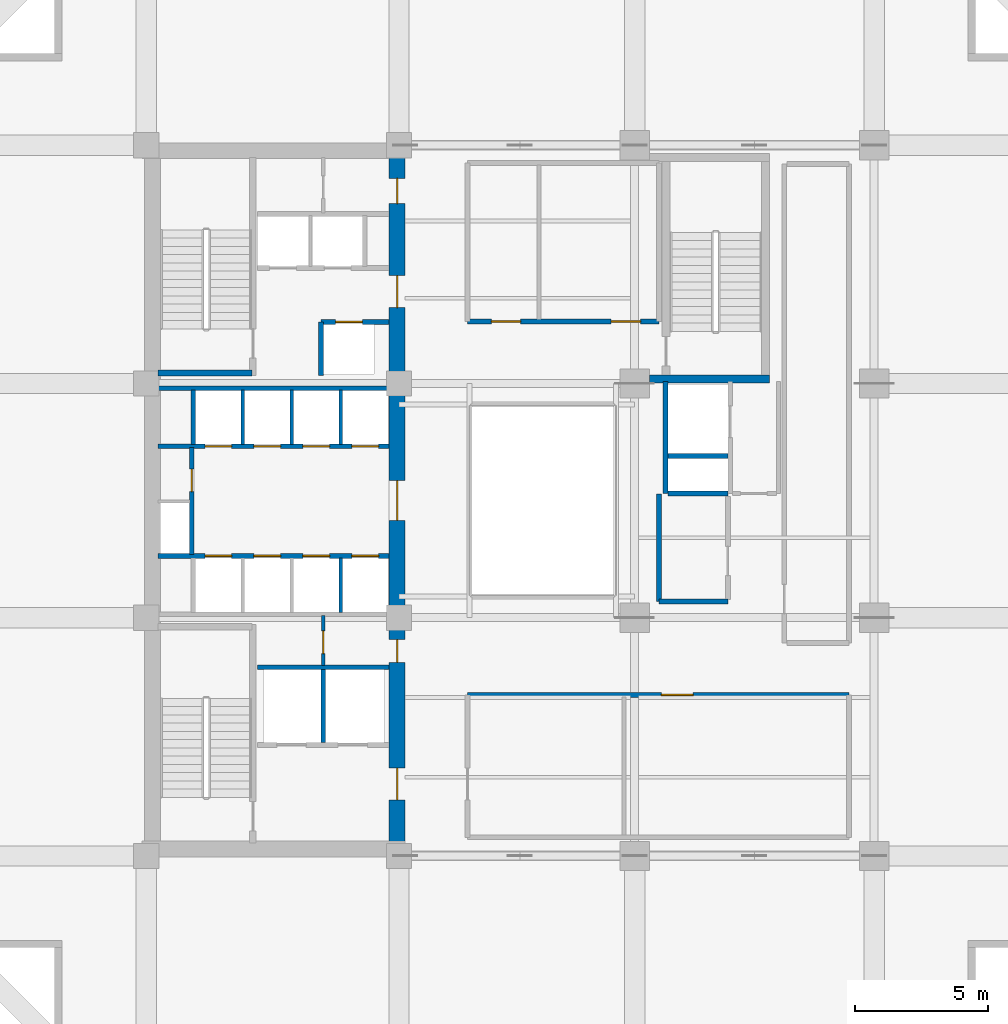
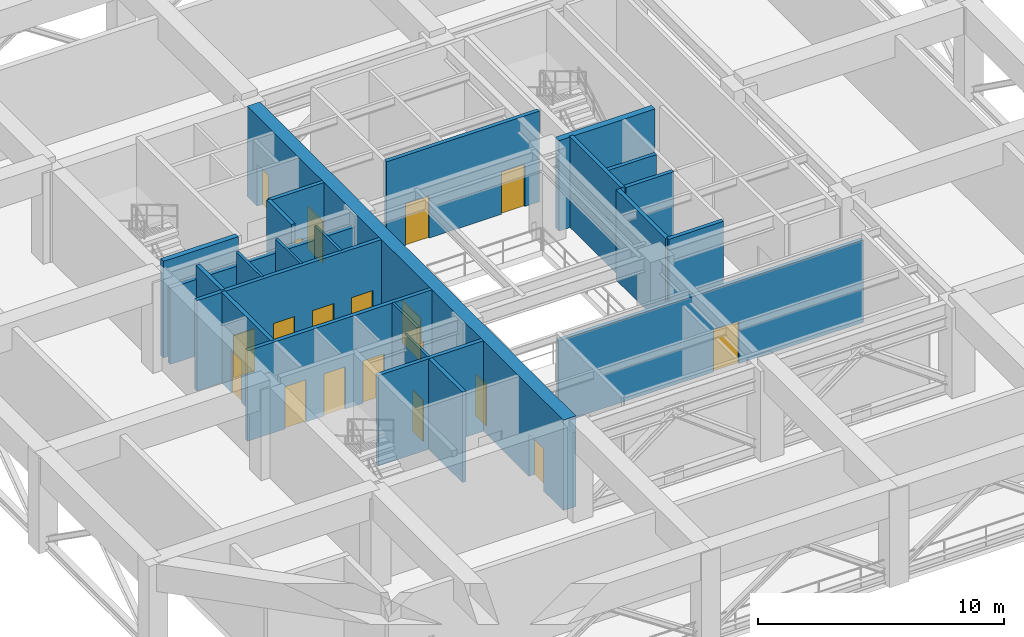
# One storey, part 4 of 10: 24 walls, 19 doors, 19 openings.
"""IFC4 building model written with IfcOpenShell, lengths in metres."""

from ifc_helpers import new_model, si_unit, direction, frame, frame_2d, origin, place, context, subcontext, project, spatial, rectangle, extrude, material, layer, layer_set, type_object, element, fill, save


model = new_model("IFC4")

# Units and contexts
model_context = context("Model", 3, precision=1e-05, world=origin(), true_north=direction((0.0, 1.0)))
body_context = subcontext(model_context, "Body", "Model", "MODEL_VIEW")
ifc_project = project(units=[si_unit("LENGTHUNIT", "METRE"), si_unit("AREAUNIT", "SQUARE_METRE"), si_unit("VOLUMEUNIT", "CUBIC_METRE"), si_unit("PLANEANGLEUNIT", "RADIAN"), si_unit("MASSUNIT", "GRAM", prefix="KILO")], contexts=[model_context])

# Site, building, storey
site_placement = place(None, origin())
site = spatial("IfcSite", under=ifc_project, at=site_placement, CompositionType="ELEMENT")
building_placement = place(site_placement, origin())
building = spatial("IfcBuilding", under=site, at=building_placement, Name="Kundavana Baori Tower", CompositionType="ELEMENT")
storey_placement = place(building_placement, frame((0.0, 0.0, 94.0)))
storey = spatial("IfcBuildingStorey", under=building, at=storey_placement, Name="L22", CompositionType="ELEMENT", Elevation=94.0)

# Wall
ifc_material_1 = material(Name="Concrete C50/60", Category="concrete")
ifc_layer_1 = layer(ifc_material_1, 0.39990234375, Name="WL-CORE-400")
ifc_layer_set_1 = layer_set([ifc_layer_1], Name="Concrete C50/60")
wall_type_1 = type_object("IfcWallType", Name="WL-CORE-400", PredefinedType="SHEAR", material=ifc_layer_set_1)
wall_1_placement = place(storey_placement, frame((15.89990234375, 33.389892578125, 0.0), z_axis=(0.0, 0.0, 1.0), x_axis=(1.0, 0.0, 0.0)))
element("IfcWall", 1, at=wall_1_placement, inside=storey, type_object=wall_type_1, Name="WL-L22-ST2-S", PredefinedType="SHEAR", context=body_context, shape_type="SweptSolid", body=[
    extrude(rectangle(XDim=3.52001953125, YDim=0.239990234375, at=frame_2d((1.760009765625, 0.0))), origin(), (0.0, 0.0, 1.0), 4.800048828125),
])

# Wall, openings, doors
ifc_material_2 = material(Name="Concrete C60/75", Category="concrete")
ifc_layer_2 = layer(ifc_material_2, 0.60009765625, Name="WL-CORE-600")
ifc_layer_set_2 = layer_set([ifc_layer_2], Name="Concrete C60/75")
wall_type_2 = type_object("IfcWallType", Name="WL-CORE-600", PredefinedType="SHEAR", material=ifc_layer_set_2)
wall_2_placement = place(storey_placement, frame((24.8798828125, 15.739990234375, 0.0), z_axis=(0.0, 0.0, 1.0), x_axis=(0.0, 1.0, 0.0)))
wall_2 = element("IfcWall", 2, at=wall_2_placement, inside=storey, type_object=wall_type_2, Name="L22 Offset Core East Shear Wall", PredefinedType="SHEAR", context=body_context, shape_type="SweptSolid", body=[
    extrude(rectangle(XDim=25.760009765625, YDim=0.60009765625, at=frame_2d((12.8798828125, 0.0))), origin(), (0.0, 0.0, 1.0), 4.5),
])
opening_1_placement = place(wall_2_placement, frame((1.610107421875, 0.0, 0.0)))
opening_1 = element("IfcOpeningElement", 3, at=opening_1_placement, cuts=wall_2, Name="Opening FD-120", PredefinedType="OPENING", context=body_context, shape_type="SweptSolid", body=[
    extrude(rectangle(XDim=1.199951171875, YDim=2.10009765625, at=frame_2d((0.60009765625, 1.050048828125))), frame((0.0, 0.31005859375, 0.0), z_axis=(0.0, -1.0, 0.0), x_axis=(1.0, 0.0, 0.0)), (0.0, 0.0, 1.0), 0.6201171875),
])
opening_2_placement = place(wall_2_placement, frame((6.780029296875, 0.0, 0.0)))
opening_2 = element("IfcOpeningElement", 4, at=opening_2_placement, cuts=wall_2, Name="Opening FD-085", PredefinedType="OPENING", context=body_context, shape_type="SweptSolid", body=[
    extrude(rectangle(XDim=0.85009765625, YDim=2.06005859375, at=frame_2d((0.425048828125, 1.030029296875))), frame((0.0, 0.31005859375, 0.0), z_axis=(0.0, -1.0, 0.0), x_axis=(1.0, 0.0, 0.0)), (0.0, 0.0, 1.0), 0.6201171875),
])
opening_3_placement = place(wall_2_placement, frame((12.110107421875, 0.0, 0.0)))
opening_3 = element("IfcOpeningElement", 5, at=opening_3_placement, cuts=wall_2, Name="Opening FD-150", PredefinedType="OPENING", context=body_context, shape_type="SweptSolid", body=[
    extrude(rectangle(XDim=1.5, YDim=2.1201171875, at=frame_2d((0.75, 1.06005859375))), frame((0.0, 0.31005859375, 0.0), z_axis=(0.0, -1.0, 0.0), x_axis=(1.0, 0.0, 0.0)), (0.0, 0.0, 1.0), 0.6201171875),
])
opening_4_placement = place(wall_2_placement, frame((20.110107421875, 0.0, 0.0)))
opening_4 = element("IfcOpeningElement", 6, at=opening_4_placement, cuts=wall_2, Name="Opening FD-122", PredefinedType="OPENING", context=body_context, shape_type="SweptSolid", body=[
    extrude(rectangle(XDim=1.199951171875, YDim=2.1201171875, at=frame_2d((0.60009765625, 1.06005859375))), frame((0.0, 0.31005859375, 0.0), z_axis=(0.0, -1.0, 0.0), x_axis=(1.0, 0.0, 0.0)), (0.0, 0.0, 1.0), 0.6201171875),
])
opening_5_placement = place(wall_2_placement, frame((24.010009765625, 0.0, 0.0)))
opening_5 = element("IfcOpeningElement", 7, at=opening_5_placement, cuts=wall_2, Name="Opening FD-095", PredefinedType="OPENING", context=body_context, shape_type="SweptSolid", body=[
    extrude(rectangle(XDim=0.949951171875, YDim=2.10009765625, at=frame_2d((0.47509765625, 1.050048828125))), frame((0.0, 0.31005859375, 0.0), z_axis=(0.0, -1.0, 0.0), x_axis=(1.0, 0.0, 0.0)), (0.0, 0.0, 1.0), 0.6201171875),
])
ifc_material_3 = material(Name="Galvanised Steel Fire-Rated Door Leaf", Category="steel")
door_type_1 = type_object("IfcDoorType", Name="DR-FD120-1200", OperationType="NOTDEFINED", PredefinedType="DOOR", material=ifc_material_3)
door_1_placement = place(opening_1_placement, frame((1.199951171875, 0.0, 0.0), z_axis=(0.0, 0.0, 1.0), x_axis=(-1.0, 0.0, 0.0)))
door_1 = element("IfcDoor", 8, at=door_1_placement, inside=storey, type_object=door_type_1, Name="DR-L22-FFLOB-E", OperationType="SINGLE_SWING_RIGHT", OverallHeight=2.10009765625, OverallWidth=1.199951171875, PredefinedType="DOOR", context=body_context, shape_type="SweptSolid", body=[
    extrude(rectangle(XDim=1.199951171875, YDim=2.10009765625, at=frame_2d((0.60009765625, 1.050048828125))), frame((0.0, 0.02490234375, 0.0), z_axis=(0.0, -1.0, 0.0), x_axis=(1.0, 0.0, 0.0)), (0.0, 0.0, 1.0), 0.050048828125),
])
fill(opening_1, door_1)
ifc_material_4 = material(Name="Galvanised Steel Fire-Rated Door Leaf", Category="steel")
door_type_2 = type_object("IfcDoorType", Name="DR-FD60-1200", OperationType="NOTDEFINED", PredefinedType="DOOR", material=ifc_material_4)
door_2_placement = place(opening_4_placement, frame((1.199951171875, 0.0, 0.0), z_axis=(0.0, 0.0, 1.0), x_axis=(-1.0, 0.0, 0.0)))
door_2 = element("IfcDoor", 9, at=door_2_placement, inside=storey, type_object=door_type_2, Name="DR-L22-HRLOB-E", OperationType="SINGLE_SWING_RIGHT", OverallHeight=2.1201171875, OverallWidth=1.199951171875, PredefinedType="DOOR", context=body_context, shape_type="SweptSolid", body=[
    extrude(rectangle(XDim=1.199951171875, YDim=2.1201171875, at=frame_2d((0.60009765625, 1.06005859375))), frame((0.0, 0.02490234375, 0.0), z_axis=(0.0, -1.0, 0.0), x_axis=(1.0, 0.0, 0.0)), (0.0, 0.0, 1.0), 0.050048828125),
])
fill(opening_4, door_2)
ifc_material_5 = material(Name="Galvanised Steel Fire-Rated Door Leaf", Category="steel")
door_type_3 = type_object("IfcDoorType", Name="DR-FD60-1500", OperationType="NOTDEFINED", PredefinedType="DOOR", material=ifc_material_5)
door_3_placement = place(opening_3_placement, frame((1.5, 0.0, 0.0), z_axis=(0.0, 0.0, 1.0), x_axis=(-1.0, 0.0, 0.0)))
door_3 = element("IfcDoor", 10, at=door_3_placement, inside=storey, type_object=door_type_3, Name="DR-L22-LIFTHALL-E", OperationType="SINGLE_SWING_LEFT", OverallHeight=2.1201171875, OverallWidth=1.5, PredefinedType="DOOR", context=body_context, shape_type="SweptSolid", body=[
    extrude(rectangle(XDim=1.5, YDim=2.1201171875, at=frame_2d((0.75, 1.06005859375))), frame((0.0, 0.02490234375, 0.0), z_axis=(0.0, -1.0, 0.0), x_axis=(1.0, 0.0, 0.0)), (0.0, 0.0, 1.0), 0.050048828125),
])
fill(opening_3, door_3)
ifc_material_6 = material(Name="Galvanised Steel Fire-Rated Door Leaf", Category="steel")
door_type_4 = type_object("IfcDoorType", Name="DR-FD60-850", OperationType="NOTDEFINED", PredefinedType="DOOR", material=ifc_material_6)
door_4_placement = place(opening_2_placement, frame((0.85009765625, 0.0, 0.0), z_axis=(0.0, 0.0, 1.0), x_axis=(-1.0, 0.0, 0.0)))
door_4 = element("IfcDoor", 11, at=door_4_placement, inside=storey, type_object=door_type_4, Name="DR-L22-CSMK2", OperationType="SINGLE_SWING_RIGHT", OverallHeight=2.06005859375, OverallWidth=0.85009765625, PredefinedType="DOOR", context=body_context, shape_type="SweptSolid", body=[
    extrude(rectangle(XDim=0.85009765625, YDim=2.06005859375, at=frame_2d((0.425048828125, 1.030029296875))), frame((0.0, 0.02490234375, 0.0), z_axis=(0.0, -1.0, 0.0), x_axis=(1.0, 0.0, 0.0)), (0.0, 0.0, 1.0), 0.050048828125),
])
fill(opening_2, door_4)
ifc_material_7 = material(Name="Engineered Teak Fire-Rated Timber Door Leaf", Category="wood")
door_type_5 = type_object("IfcDoorType", Name="DR-FD60-950", OperationType="NOTDEFINED", PredefinedType="DOOR", material=ifc_material_7)
door_5_placement = place(opening_5_placement, frame((0.949951171875, 0.0, 0.0), z_axis=(0.0, 0.0, 1.0), x_axis=(-1.0, 0.0, 0.0)))
door_5 = element("IfcDoor", 12, at=door_5_placement, inside=storey, type_object=door_type_5, Name="DR-L22-CSRV2", OperationType="SINGLE_SWING_RIGHT", OverallHeight=2.10009765625, OverallWidth=0.949951171875, PredefinedType="DOOR", context=body_context, shape_type="SweptSolid", body=[
    extrude(rectangle(XDim=0.949951171875, YDim=2.10009765625, at=frame_2d((0.47509765625, 1.050048828125))), frame((0.0, 0.02490234375, 0.0), z_axis=(0.0, -1.0, 0.0), x_axis=(1.0, 0.0, 0.0)), (0.0, 0.0, 1.0), 0.050048828125),
])
fill(opening_5, door_5)

# Wall, opening, door
ifc_material_8 = material(Name="Acoustic Gypsum Plasterboard on Galvanised Steel Studs", Category="steel")
ifc_layer_3 = layer(ifc_material_8, 0.1201171875, Name="WL-PART-120")
ifc_layer_set_3 = layer_set([ifc_layer_3], Name="Acoustic Gypsum Plasterboard on Galvanised Steel Studs")
wall_type_3 = type_object("IfcWallType", Name="WL-PART-120", PredefinedType="PARTITIONING", material=ifc_layer_set_3)
wall_3_placement = place(storey_placement, frame((22.10009765625, 22.39990234375, 0.0), z_axis=(0.0, 0.0, 1.0), x_axis=(0.0, 1.0, 0.0)))
wall_3 = element("IfcWall", 13, at=wall_3_placement, inside=storey, type_object=wall_type_3, Name="WL-L22-CSMK-D1", PredefinedType="PARTITIONING", context=body_context, shape_type="SweptSolid", body=[
    extrude(rectangle(XDim=1.880126953125, YDim=0.1201171875, at=frame_2d((0.93994140625, 0.0))), origin(), (0.0, 0.0, 1.0), 4.5),
])
opening_6_placement = place(wall_3_placement, frame((0.449951171875, 0.0, 0.0)))
opening_6 = element("IfcOpeningElement", 14, at=opening_6_placement, cuts=wall_3, Name="Opening FD-085", PredefinedType="OPENING", context=body_context, shape_type="SweptSolid", body=[
    extrude(rectangle(XDim=0.85009765625, YDim=2.06005859375, at=frame_2d((0.425048828125, 1.030029296875))), frame((0.0, 0.070068359375, 0.0), z_axis=(0.0, -1.0, 0.0), x_axis=(1.0, 0.0, 0.0)), (0.0, 0.0, 1.0), 0.14013671875),
])
door_6_placement = place(opening_6_placement, origin())
door_6 = element("IfcDoor", 15, at=door_6_placement, inside=storey, type_object=door_type_4, Name="DR-L22-CSMK1", OperationType="SINGLE_SWING_LEFT", OverallHeight=2.06005859375, OverallWidth=0.85009765625, PredefinedType="DOOR", context=body_context, shape_type="SweptSolid", body=[
    extrude(rectangle(XDim=0.85009765625, YDim=2.06005859375, at=frame_2d((0.425048828125, 1.030029296875))), frame((0.0, 0.02490234375, 0.0), z_axis=(0.0, -1.0, 0.0), x_axis=(1.0, 0.0, 0.0)), (0.0, 0.0, 1.0), 0.050048828125),
])
fill(opening_6, door_6)

# Walls
for number, where, z_axis, x_axis, name in (
    (16, (22.760009765625, 24.39990234375, 0.0), (0.0, 0.0, 1.0), (0.0, 1.0, 0.0), "WL-L22-LPLOW-D3"),
    (17, (19.080078125, 30.699951171875, 0.0), (0.0, 0.0, 1.0), (0.0, 1.0, 0.0), "WL-L22-LPMID-D1"),
    (18, (20.919921875, 30.699951171875, 0.0), (0.0, 0.0, 1.0), (0.0, 1.0, 0.0), "WL-L22-LPMID-D2"),
    (19, (22.760009765625, 30.699951171875, 0.0), (0.0, 0.0, 1.0), (0.0, 1.0, 0.0), "WL-L22-LPMID-D3"),
):
    element("IfcWall", number, at=place(storey_placement, frame(where, z_axis=z_axis, x_axis=x_axis)), inside=storey, type_object=wall_type_3, Name=name, PredefinedType="PARTITIONING", context=body_context, shape_type="SweptSolid", body=[
        extrude(rectangle(XDim=2.050048828125, YDim=0.1201171875, at=frame_2d((1.02490234375, 0.0))), origin(), (0.0, 0.0, 1.0), 4.5),
    ])

# Wall, opening, door
ifc_material_9 = material(Name="Autoclaved Aerated Concrete Blockwork Masonry", Category="masonry")
ifc_layer_4 = layer(ifc_material_9, 0.18505859375, Name="WL-PART-180")
ifc_layer_set_4 = layer_set([ifc_layer_4], Name="Autoclaved Aerated Concrete Blockwork Masonry")
wall_type_4 = type_object("IfcWallType", Name="WL-PART-180", PredefinedType="SOLIDWALL", material=ifc_layer_set_4)
wall_4_placement = place(storey_placement, frame((27.52001953125, 21.300048828125, 0.0), z_axis=(0.0, 0.0, 1.0), x_axis=(1.0, 0.0, 0.0)))
wall_4 = element("IfcWall", 20, at=wall_4_placement, inside=storey, type_object=wall_type_4, Name="WL-L22-REF-N", PredefinedType="SOLIDWALL", context=body_context, shape_type="SweptSolid", body=[
    extrude(rectangle(XDim=14.330078125, YDim=0.18505859375, at=frame_2d((7.1650390625, 0.0))), origin(), (0.0, 0.0, 1.0), 4.10009765625),
])
opening_7_placement = place(wall_4_placement, frame((7.280029296875, 0.0, 0.0)))
opening_7 = element("IfcOpeningElement", 21, at=opening_7_placement, cuts=wall_4, Name="Opening FD-120", PredefinedType="OPENING", context=body_context, shape_type="SweptSolid", body=[
    extrude(rectangle(XDim=1.199951171875, YDim=2.10009765625, at=frame_2d((0.60009765625, 1.050048828125))), frame((0.0, 0.1025390625, 0.0), z_axis=(0.0, -1.0, 0.0), x_axis=(1.0, 0.0, 0.0)), (0.0, 0.0, 1.0), 0.205078125),
])
door_7_placement = place(opening_7_placement, frame((1.199951171875, 0.0, 0.0), z_axis=(0.0, 0.0, 1.0), x_axis=(-1.0, 0.0, 0.0)))
door_7 = element("IfcDoor", 22, at=door_7_placement, inside=storey, type_object=door_type_1, Name="DR-L22-REF2", OperationType="SINGLE_SWING_RIGHT", OverallHeight=2.10009765625, OverallWidth=1.199951171875, PredefinedType="DOOR", context=body_context, shape_type="SweptSolid", body=[
    extrude(rectangle(XDim=1.199951171875, YDim=2.10009765625, at=frame_2d((0.60009765625, 1.050048828125))), frame((0.0, 0.02490234375, 0.0), z_axis=(0.0, -1.0, 0.0), x_axis=(1.0, 0.0, 0.0)), (0.0, 0.0, 1.0), 0.050048828125),
])
fill(opening_7, door_7)

# Walls
wall_5_placement = place(storey_placement, frame((34.719970703125, 24.800048828125, 0.0), z_axis=(0.0, 0.0, 1.0), x_axis=(1.0, 0.0, 0.0)))
element("IfcWall", 23, at=wall_5_placement, inside=storey, type_object=wall_type_4, Name="WL-L22-PAHUS", PredefinedType="SOLIDWALL", context=body_context, shape_type="SweptSolid", body=[
    extrude(rectangle(XDim=2.580078125, YDim=0.18505859375, at=frame_2d((1.2900390625, 0.0))), origin(), (0.0, 0.0, 1.0), 4.5),
])
wall_6_placement = place(storey_placement, frame((34.719970703125, 24.800048828125, 0.0), z_axis=(0.0, 0.0, 1.0), x_axis=(0.0, 1.0, 0.0)))
element("IfcWall", 24, at=wall_6_placement, inside=storey, type_object=wall_type_4, Name="WL-L22-PAHUW", PredefinedType="SOLIDWALL", context=body_context, shape_type="SweptSolid", body=[
    extrude(rectangle(XDim=4.0400390625, YDim=0.18505859375, at=frame_2d((2.02001953125, 0.0))), origin(), (0.0, 0.0, 1.0), 4.5),
])

# Wall, openings, doors
wall_7_placement = place(storey_placement, frame((27.52001953125, 35.320068359375, 0.0), z_axis=(0.0, 0.0, 1.0), x_axis=(1.0, 0.0, 0.0)))
wall_7 = element("IfcWall", 25, at=wall_7_placement, inside=storey, type_object=wall_type_4, Name="WL-L22-PLN", PredefinedType="SOLIDWALL", context=body_context, shape_type="SweptSolid", body=[
    extrude(rectangle(XDim=7.199951171875, YDim=0.18505859375, at=frame_2d((3.60009765625, 0.0))), origin(), (0.0, 0.0, 1.0), 4.5),
])
opening_8_placement = place(wall_7_placement, frame((0.89990234375, 0.0, 0.0)))
opening_8 = element("IfcOpeningElement", 26, at=opening_8_placement, cuts=wall_7, Name="Opening FD-110", PredefinedType="OPENING", context=body_context, shape_type="SweptSolid", body=[
    extrude(rectangle(XDim=1.10009765625, YDim=2.10009765625, at=frame_2d((0.550048828125, 1.050048828125))), frame((0.0, 0.1025390625, 0.0), z_axis=(0.0, -1.0, 0.0), x_axis=(1.0, 0.0, 0.0)), (0.0, 0.0, 1.0), 0.205078125),
])
opening_9_placement = place(wall_7_placement, frame((5.39990234375, 0.0, 0.0)))
opening_9 = element("IfcOpeningElement", 27, at=opening_9_placement, cuts=wall_7, Name="Opening FD-110", PredefinedType="OPENING", context=body_context, shape_type="SweptSolid", body=[
    extrude(rectangle(XDim=1.10009765625, YDim=2.10009765625, at=frame_2d((0.550048828125, 1.050048828125))), frame((0.0, 0.1025390625, 0.0), z_axis=(0.0, -1.0, 0.0), x_axis=(1.0, 0.0, 0.0)), (0.0, 0.0, 1.0), 0.205078125),
])
ifc_material_10 = material(Name="Galvanised Steel Fire-Rated Door Leaf", Category="steel")
door_type_6 = type_object("IfcDoorType", Name="DR-FD120-1100", OperationType="NOTDEFINED", PredefinedType="DOOR", material=ifc_material_10)
door_8_placement = place(opening_8_placement, origin())
door_8 = element("IfcDoor", 28, at=door_8_placement, inside=storey, type_object=door_type_6, Name="DR-L22-PL4", OperationType="SINGLE_SWING_RIGHT", OverallHeight=2.10009765625, OverallWidth=1.10009765625, PredefinedType="DOOR", context=body_context, shape_type="SweptSolid", body=[
    extrude(rectangle(XDim=1.10009765625, YDim=2.10009765625, at=frame_2d((0.550048828125, 1.050048828125))), frame((0.0, 0.02490234375, 0.0), z_axis=(0.0, -1.0, 0.0), x_axis=(1.0, 0.0, 0.0)), (0.0, 0.0, 1.0), 0.050048828125),
])
fill(opening_8, door_8)
door_9_placement = place(opening_9_placement, origin())
door_9 = element("IfcDoor", 29, at=door_9_placement, inside=storey, type_object=door_type_6, Name="DR-L22-PL5", OperationType="SINGLE_SWING_LEFT", OverallHeight=2.10009765625, OverallWidth=1.10009765625, PredefinedType="DOOR", context=body_context, shape_type="SweptSolid", body=[
    extrude(rectangle(XDim=1.10009765625, YDim=2.10009765625, at=frame_2d((0.550048828125, 1.050048828125))), frame((0.0, 0.02490234375, 0.0), z_axis=(0.0, -1.0, 0.0), x_axis=(1.0, 0.0, 0.0)), (0.0, 0.0, 1.0), 0.050048828125),
])
fill(opening_9, door_9)

# Walls
ifc_material_11 = material(Name="Autoclaved Aerated Concrete Blockwork Masonry", Category="masonry")
ifc_layer_5 = layer(ifc_material_11, 0.179931640625, Name="WL-SHAFT-180")
ifc_layer_set_5 = layer_set([ifc_layer_5], Name="Autoclaved Aerated Concrete Blockwork Masonry")
wall_type_5 = type_object("IfcWallType", Name="WL-SHAFT-180", PredefinedType="SOLIDWALL", material=ifc_layer_set_5)
wall_8_placement = place(storey_placement, frame((22.10009765625, 19.510009765625, 0.0), z_axis=(0.0, 0.0, 1.0), x_axis=(0.0, 1.0, 0.0)))
element("IfcWall", 30, at=wall_8_placement, inside=storey, type_object=wall_type_5, Name="WL-L22-FFL-MID", PredefinedType="SOLIDWALL", context=body_context, shape_type="SweptSolid", body=[
    extrude(rectangle(XDim=2.739990234375, YDim=0.179931640625, at=frame_2d((1.3701171875, 0.0))), origin(), (0.0, 0.0, 1.0), 4.5),
])
wall_9_placement = place(storey_placement, frame((19.639892578125, 22.340087890625, 0.0), z_axis=(0.0, 0.0, 1.0), x_axis=(1.0, 0.0, 0.0)))
element("IfcWall", 31, at=wall_9_placement, inside=storey, type_object=wall_type_5, Name="WL-L22-FFL-N", PredefinedType="SOLIDWALL", context=body_context, shape_type="SweptSolid", body=[
    extrude(rectangle(XDim=4.940185546875, YDim=0.179931640625, at=frame_2d((2.47021484375, 0.0))), origin(), (0.0, 0.0, 1.0), 4.5),
])

# Wall, openings, doors
wall_10_placement = place(storey_placement, frame((15.89990234375, 26.52001953125, 0.0), z_axis=(0.0, 0.0, 1.0), x_axis=(1.0, 0.0, 0.0)))
wall_10 = element("IfcWall", 32, at=wall_10_placement, inside=storey, type_object=wall_type_5, Name="WL-L22-LPLOW-N", PredefinedType="SOLIDWALL", context=body_context, shape_type="SweptSolid", body=[
    extrude(rectangle(XDim=8.68017578125, YDim=0.179931640625, at=frame_2d((4.340087890625, 0.0))), origin(), (0.0, 0.0, 1.0), 4.5),
])
opening_10_placement = place(wall_10_placement, frame((1.760009765625, 0.0, 0.0)))
opening_10 = element("IfcOpeningElement", 33, at=opening_10_placement, cuts=wall_10, Name="Opening LD-100", PredefinedType="OPENING", context=body_context, shape_type="SweptSolid", body=[
    extrude(rectangle(XDim=1.0, YDim=2.10009765625, at=frame_2d((0.5, 1.050048828125))), frame((0.0, 0.10009765625, 0.0), z_axis=(0.0, -1.0, 0.0), x_axis=(1.0, 0.0, 0.0)), (0.0, 0.0, 1.0), 0.199951171875),
])
opening_11_placement = place(wall_10_placement, frame((3.60009765625, 0.0, 0.0)))
opening_11 = element("IfcOpeningElement", 34, at=opening_11_placement, cuts=wall_10, Name="Opening LD-100", PredefinedType="OPENING", context=body_context, shape_type="SweptSolid", body=[
    extrude(rectangle(XDim=1.0, YDim=2.10009765625, at=frame_2d((0.5, 1.050048828125))), frame((0.0, 0.10009765625, 0.0), z_axis=(0.0, -1.0, 0.0), x_axis=(1.0, 0.0, 0.0)), (0.0, 0.0, 1.0), 0.199951171875),
])
opening_12_placement = place(wall_10_placement, frame((5.43994140625, 0.0, 0.0)))
opening_12 = element("IfcOpeningElement", 35, at=opening_12_placement, cuts=wall_10, Name="Opening LD-100", PredefinedType="OPENING", context=body_context, shape_type="SweptSolid", body=[
    extrude(rectangle(XDim=1.0, YDim=2.10009765625, at=frame_2d((0.5, 1.050048828125))), frame((0.0, 0.10009765625, 0.0), z_axis=(0.0, -1.0, 0.0), x_axis=(1.0, 0.0, 0.0)), (0.0, 0.0, 1.0), 0.199951171875),
])
opening_13_placement = place(wall_10_placement, frame((7.280029296875, 0.0, 0.0)))
opening_13 = element("IfcOpeningElement", 36, at=opening_13_placement, cuts=wall_10, Name="Opening LD-100", PredefinedType="OPENING", context=body_context, shape_type="SweptSolid", body=[
    extrude(rectangle(XDim=1.0, YDim=2.10009765625, at=frame_2d((0.5, 1.050048828125))), frame((0.0, 0.10009765625, 0.0), z_axis=(0.0, -1.0, 0.0), x_axis=(1.0, 0.0, 0.0)), (0.0, 0.0, 1.0), 0.199951171875),
])
ifc_material_12 = material(Name="Galvanised Steel Fire-Rated Door Leaf", Category="steel")
door_type_7 = type_object("IfcDoorType", Name="DR-SLIDE-LD1000", OperationType="NOTDEFINED", PredefinedType="DOOR", material=ifc_material_12)
door_10_placement = place(opening_10_placement, origin())
door_10 = element("IfcDoor", 37, at=door_10_placement, inside=storey, type_object=door_type_7, Name="DR-L22-LD-LP-01", OperationType="DOUBLE_DOOR_SLIDING", OverallHeight=2.10009765625, OverallWidth=1.0, PredefinedType="DOOR", context=body_context, shape_type="SweptSolid", body=[
    extrude(rectangle(XDim=1.0, YDim=2.10009765625, at=frame_2d((0.5, 1.050048828125))), frame((0.0, 0.02490234375, 0.0), z_axis=(0.0, -1.0, 0.0), x_axis=(1.0, 0.0, 0.0)), (0.0, 0.0, 1.0), 0.050048828125),
])
fill(opening_10, door_10)
door_11_placement = place(opening_11_placement, origin())
door_11 = element("IfcDoor", 38, at=door_11_placement, inside=storey, type_object=door_type_7, Name="DR-L22-LD-LP-02", OperationType="DOUBLE_DOOR_SLIDING", OverallHeight=2.10009765625, OverallWidth=1.0, PredefinedType="DOOR", context=body_context, shape_type="SweptSolid", body=[
    extrude(rectangle(XDim=1.0, YDim=2.10009765625, at=frame_2d((0.5, 1.050048828125))), frame((0.0, 0.02490234375, 0.0), z_axis=(0.0, -1.0, 0.0), x_axis=(1.0, 0.0, 0.0)), (0.0, 0.0, 1.0), 0.050048828125),
])
fill(opening_11, door_11)
door_12_placement = place(opening_12_placement, origin())
door_12 = element("IfcDoor", 39, at=door_12_placement, inside=storey, type_object=door_type_7, Name="DR-L22-LD-LP-03", OperationType="DOUBLE_DOOR_SLIDING", OverallHeight=2.10009765625, OverallWidth=1.0, PredefinedType="DOOR", context=body_context, shape_type="SweptSolid", body=[
    extrude(rectangle(XDim=1.0, YDim=2.10009765625, at=frame_2d((0.5, 1.050048828125))), frame((0.0, 0.02490234375, 0.0), z_axis=(0.0, -1.0, 0.0), x_axis=(1.0, 0.0, 0.0)), (0.0, 0.0, 1.0), 0.050048828125),
])
fill(opening_12, door_12)
door_13_placement = place(opening_13_placement, origin())
door_13 = element("IfcDoor", 40, at=door_13_placement, inside=storey, type_object=door_type_7, Name="DR-L22-LD-LP-04", OperationType="DOUBLE_DOOR_SLIDING", OverallHeight=2.10009765625, OverallWidth=1.0, PredefinedType="DOOR", context=body_context, shape_type="SweptSolid", body=[
    extrude(rectangle(XDim=1.0, YDim=2.10009765625, at=frame_2d((0.5, 1.050048828125))), frame((0.0, 0.02490234375, 0.0), z_axis=(0.0, -1.0, 0.0), x_axis=(1.0, 0.0, 0.0)), (0.0, 0.0, 1.0), 0.050048828125),
])
fill(opening_13, door_13)

# Wall, opening, door
wall_11_placement = place(storey_placement, frame((17.159912109375, 26.580078125, 0.0), z_axis=(0.0, 0.0, 1.0), x_axis=(0.0, 1.0, 0.0)))
wall_11 = element("IfcWall", 41, at=wall_11_placement, inside=storey, type_object=wall_type_5, Name="WL-L22-RSRW-E", PredefinedType="SOLIDWALL", context=body_context, shape_type="SweptSolid", body=[
    extrude(rectangle(XDim=4.02001953125, YDim=0.179931640625, at=frame_2d((2.010009765625, 0.0))), origin(), (0.0, 0.0, 1.0), 4.5),
])
opening_14_placement = place(wall_11_placement, frame((2.35009765625, 0.0, 0.0)))
opening_14 = element("IfcOpeningElement", 42, at=opening_14_placement, cuts=wall_11, Name="Opening FD-085", PredefinedType="OPENING", context=body_context, shape_type="SweptSolid", body=[
    extrude(rectangle(XDim=0.85009765625, YDim=2.06005859375, at=frame_2d((0.425048828125, 1.030029296875))), frame((0.0, 0.10009765625, 0.0), z_axis=(0.0, -1.0, 0.0), x_axis=(1.0, 0.0, 0.0)), (0.0, 0.0, 1.0), 0.199951171875),
])
door_14_placement = place(opening_14_placement, origin())
door_14 = element("IfcDoor", 43, at=door_14_placement, inside=storey, type_object=door_type_4, Name="DR-L22-CLN", OperationType="SINGLE_SWING_RIGHT", OverallHeight=2.06005859375, OverallWidth=0.85009765625, PredefinedType="DOOR", context=body_context, shape_type="SweptSolid", body=[
    extrude(rectangle(XDim=0.85009765625, YDim=2.06005859375, at=frame_2d((0.425048828125, 1.030029296875))), frame((0.0, 0.02490234375, 0.0), z_axis=(0.0, -1.0, 0.0), x_axis=(1.0, 0.0, 0.0)), (0.0, 0.0, 1.0), 0.050048828125),
])
fill(opening_14, door_14)

# Wall, openings, doors
wall_12_placement = place(storey_placement, frame((15.89990234375, 30.639892578125, 0.0), z_axis=(0.0, 0.0, 1.0), x_axis=(1.0, 0.0, 0.0)))
wall_12 = element("IfcWall", 44, at=wall_12_placement, inside=storey, type_object=wall_type_5, Name="WL-L22-LPMID-S", PredefinedType="SOLIDWALL", context=body_context, shape_type="SweptSolid", body=[
    extrude(rectangle(XDim=8.68017578125, YDim=0.179931640625, at=frame_2d((4.340087890625, 0.0))), origin(), (0.0, 0.0, 1.0), 4.5),
])
opening_15_placement = place(wall_12_placement, frame((1.760009765625, 0.0, 0.0)))
opening_15 = element("IfcOpeningElement", 45, at=opening_15_placement, cuts=wall_12, Name="Opening LD-100", PredefinedType="OPENING", context=body_context, shape_type="SweptSolid", body=[
    extrude(rectangle(XDim=1.0, YDim=2.10009765625, at=frame_2d((0.5, 1.050048828125))), frame((0.0, 0.10009765625, 0.0), z_axis=(0.0, -1.0, 0.0), x_axis=(1.0, 0.0, 0.0)), (0.0, 0.0, 1.0), 0.199951171875),
])
opening_16_placement = place(wall_12_placement, frame((3.60009765625, 0.0, 0.0)))
opening_16 = element("IfcOpeningElement", 46, at=opening_16_placement, cuts=wall_12, Name="Opening LD-100", PredefinedType="OPENING", context=body_context, shape_type="SweptSolid", body=[
    extrude(rectangle(XDim=1.0, YDim=2.10009765625, at=frame_2d((0.5, 1.050048828125))), frame((0.0, 0.10009765625, 0.0), z_axis=(0.0, -1.0, 0.0), x_axis=(1.0, 0.0, 0.0)), (0.0, 0.0, 1.0), 0.199951171875),
])
opening_17_placement = place(wall_12_placement, frame((5.43994140625, 0.0, 0.0)))
opening_17 = element("IfcOpeningElement", 47, at=opening_17_placement, cuts=wall_12, Name="Opening LD-100", PredefinedType="OPENING", context=body_context, shape_type="SweptSolid", body=[
    extrude(rectangle(XDim=1.0, YDim=2.10009765625, at=frame_2d((0.5, 1.050048828125))), frame((0.0, 0.10009765625, 0.0), z_axis=(0.0, -1.0, 0.0), x_axis=(1.0, 0.0, 0.0)), (0.0, 0.0, 1.0), 0.199951171875),
])
opening_18_placement = place(wall_12_placement, frame((7.280029296875, 0.0, 0.0)))
opening_18 = element("IfcOpeningElement", 48, at=opening_18_placement, cuts=wall_12, Name="Opening LD-100", PredefinedType="OPENING", context=body_context, shape_type="SweptSolid", body=[
    extrude(rectangle(XDim=1.0, YDim=2.10009765625, at=frame_2d((0.5, 1.050048828125))), frame((0.0, 0.10009765625, 0.0), z_axis=(0.0, -1.0, 0.0), x_axis=(1.0, 0.0, 0.0)), (0.0, 0.0, 1.0), 0.199951171875),
])
door_15_placement = place(opening_15_placement, frame((1.0, 0.0, 0.0), z_axis=(0.0, 0.0, 1.0), x_axis=(-1.0, 0.0, 0.0)))
door_15 = element("IfcDoor", 49, at=door_15_placement, inside=storey, type_object=door_type_7, Name="DR-L22-LD-LP-05", OperationType="DOUBLE_DOOR_SLIDING", OverallHeight=2.10009765625, OverallWidth=1.0, PredefinedType="DOOR", context=body_context, shape_type="SweptSolid", body=[
    extrude(rectangle(XDim=1.0, YDim=2.10009765625, at=frame_2d((0.5, 1.050048828125))), frame((0.0, 0.02490234375, 0.0), z_axis=(0.0, -1.0, 0.0), x_axis=(1.0, 0.0, 0.0)), (0.0, 0.0, 1.0), 0.050048828125),
])
fill(opening_15, door_15)
door_16_placement = place(opening_16_placement, frame((1.0, 0.0, 0.0), z_axis=(0.0, 0.0, 1.0), x_axis=(-1.0, 0.0, 0.0)))
door_16 = element("IfcDoor", 50, at=door_16_placement, inside=storey, type_object=door_type_7, Name="DR-L22-LD-LP-06", OperationType="DOUBLE_DOOR_SLIDING", OverallHeight=2.10009765625, OverallWidth=1.0, PredefinedType="DOOR", context=body_context, shape_type="SweptSolid", body=[
    extrude(rectangle(XDim=1.0, YDim=2.10009765625, at=frame_2d((0.5, 1.050048828125))), frame((0.0, 0.02490234375, 0.0), z_axis=(0.0, -1.0, 0.0), x_axis=(1.0, 0.0, 0.0)), (0.0, 0.0, 1.0), 0.050048828125),
])
fill(opening_16, door_16)
door_17_placement = place(opening_17_placement, frame((1.0, 0.0, 0.0), z_axis=(0.0, 0.0, 1.0), x_axis=(-1.0, 0.0, 0.0)))
door_17 = element("IfcDoor", 51, at=door_17_placement, inside=storey, type_object=door_type_7, Name="DR-L22-LD-LP-07", OperationType="DOUBLE_DOOR_SLIDING", OverallHeight=2.10009765625, OverallWidth=1.0, PredefinedType="DOOR", context=body_context, shape_type="SweptSolid", body=[
    extrude(rectangle(XDim=1.0, YDim=2.10009765625, at=frame_2d((0.5, 1.050048828125))), frame((0.0, 0.02490234375, 0.0), z_axis=(0.0, -1.0, 0.0), x_axis=(1.0, 0.0, 0.0)), (0.0, 0.0, 1.0), 0.050048828125),
])
fill(opening_17, door_17)
door_18_placement = place(opening_18_placement, frame((1.0, 0.0, 0.0), z_axis=(0.0, 0.0, 1.0), x_axis=(-1.0, 0.0, 0.0)))
door_18 = element("IfcDoor", 52, at=door_18_placement, inside=storey, type_object=door_type_7, Name="DR-L22-LD-LP-08", OperationType="DOUBLE_DOOR_SLIDING", OverallHeight=2.10009765625, OverallWidth=1.0, PredefinedType="DOOR", context=body_context, shape_type="SweptSolid", body=[
    extrude(rectangle(XDim=1.0, YDim=2.10009765625, at=frame_2d((0.5, 1.050048828125))), frame((0.0, 0.02490234375, 0.0), z_axis=(0.0, -1.0, 0.0), x_axis=(1.0, 0.0, 0.0)), (0.0, 0.0, 1.0), 0.050048828125),
])
fill(opening_18, door_18)

# Walls
wall_13_placement = place(storey_placement, frame((15.89990234375, 32.820068359375, 0.0), z_axis=(0.0, 0.0, 1.0), x_axis=(1.0, 0.0, 0.0)))
element("IfcWall", 53, at=wall_13_placement, inside=storey, type_object=wall_type_5, Name="WL-L22-LPMID-N", PredefinedType="SOLIDWALL", context=body_context, shape_type="SweptSolid", body=[
    extrude(rectangle(XDim=8.68017578125, YDim=0.179931640625, at=frame_2d((4.340087890625, 0.0))), origin(), (0.0, 0.0, 1.0), 3.800048828125),
])
wall_14_placement = place(storey_placement, frame((17.219970703125, 30.699951171875, 0.0), z_axis=(0.0, 0.0, 1.0), x_axis=(0.0, 1.0, 0.0)))
element("IfcWall", 54, at=wall_14_placement, inside=storey, type_object=wall_type_5, Name="WL-L22-LPMID-W", PredefinedType="SOLIDWALL", context=body_context, shape_type="SweptSolid", body=[
    extrude(rectangle(XDim=2.050048828125, YDim=0.179931640625, at=frame_2d((1.02490234375, 0.0))), origin(), (0.0, 0.0, 1.0), 4.5),
])

# Wall, opening, door
wall_15_placement = place(storey_placement, frame((22.02001953125, 35.31005859375, 0.0), z_axis=(0.0, 0.0, 1.0), x_axis=(1.0, 0.0, 0.0)))
wall_15 = element("IfcWall", 55, at=wall_15_placement, inside=storey, type_object=wall_type_5, Name="WL-L22-LP11-N", PredefinedType="SOLIDWALL", context=body_context, shape_type="SweptSolid", body=[
    extrude(rectangle(XDim=2.56005859375, YDim=0.179931640625, at=frame_2d((1.280029296875, 0.0))), origin(), (0.0, 0.0, 1.0), 4.5),
])
opening_19_placement = place(wall_15_placement, frame((0.550048828125, 0.0, 0.0)))
opening_19 = element("IfcOpeningElement", 56, at=opening_19_placement, cuts=wall_15, Name="Opening LD-100", PredefinedType="OPENING", context=body_context, shape_type="SweptSolid", body=[
    extrude(rectangle(XDim=1.0, YDim=2.10009765625, at=frame_2d((0.5, 1.050048828125))), frame((0.0, 0.10009765625, 0.0), z_axis=(0.0, -1.0, 0.0), x_axis=(1.0, 0.0, 0.0)), (0.0, 0.0, 1.0), 0.199951171875),
])
door_19_placement = place(opening_19_placement, origin())
door_19 = element("IfcDoor", 57, at=door_19_placement, inside=storey, type_object=door_type_7, Name="DR-L22-LD-LP11", OperationType="DOUBLE_DOOR_SLIDING", OverallHeight=2.10009765625, OverallWidth=1.0, PredefinedType="DOOR", context=body_context, shape_type="SweptSolid", body=[
    extrude(rectangle(XDim=1.0, YDim=2.10009765625, at=frame_2d((0.5, 1.050048828125))), frame((0.0, 0.02490234375, 0.0), z_axis=(0.0, -1.0, 0.0), x_axis=(1.0, 0.0, 0.0)), (0.0, 0.0, 1.0), 0.050048828125),
])
fill(opening_19, door_19)

# Walls
wall_16_placement = place(storey_placement, frame((22.02001953125, 33.300048828125, 0.0), z_axis=(0.0, 0.0, 1.0), x_axis=(0.0, 1.0, 0.0)))
element("IfcWall", 58, at=wall_16_placement, inside=storey, type_object=wall_type_5, Name="WL-L22-LP11-W", PredefinedType="SOLIDWALL", context=body_context, shape_type="SweptSolid", body=[
    extrude(rectangle(XDim=2.010009765625, YDim=0.179931640625, at=frame_2d((1.0048828125, 0.0))), origin(), (0.0, 0.0, 1.0), 4.5),
])
wall_17_placement = place(storey_placement, frame((34.9599609375, 28.860107421875, 0.0), z_axis=(0.0, 0.0, 1.0), x_axis=(0.0, 1.0, 0.0)))
element("IfcWall", 59, at=wall_17_placement, inside=storey, type_object=wall_type_5, Name="WL-L22-SVL-W", PredefinedType="SOLIDWALL", context=body_context, shape_type="SweptSolid", body=[
    extrude(rectangle(XDim=4.219970703125, YDim=0.179931640625, at=frame_2d((2.10986328125, 0.0))), origin(), (0.0, 0.0, 1.0), 4.5),
])
for number, where, z_axis, x_axis, name in (
    (60, (35.050048828125, 28.860107421875, 0.0), (0.0, 0.0, 1.0), (1.0, 0.0, 0.0), "WL-L22-SVL-S"),
    (61, (35.050048828125, 30.27001953125, 0.0), (0.0, 0.0, 1.0), (1.0, 0.0, 0.0), "WL-L22-SVL-M"),
):
    element("IfcWall", number, at=place(storey_placement, frame(where, z_axis=z_axis, x_axis=x_axis)), inside=storey, type_object=wall_type_5, Name=name, PredefinedType="SOLIDWALL", context=body_context, shape_type="SweptSolid", body=[
        extrude(rectangle(XDim=2.25, YDim=0.179931640625, at=frame_2d((1.125, 0.0))), origin(), (0.0, 0.0, 1.0), 4.5),
    ])
ifc_material_13 = material(Name="Concrete C50/60", Category="concrete")
ifc_layer_6 = layer(ifc_material_13, 0.300048828125, Name="WL-ST3-300")
ifc_layer_set_6 = layer_set([ifc_layer_6], Name="Concrete C50/60")
wall_type_6 = type_object("IfcWallType", Name="WL-ST3-300", PredefinedType="SHEAR", material=ifc_layer_set_6)
wall_18_placement = place(storey_placement, frame((34.35009765625, 33.159912109375, 0.0), z_axis=(0.0, 0.0, 1.0), x_axis=(1.0, 0.0, 0.0)))
element("IfcWall", 62, at=wall_18_placement, inside=storey, type_object=wall_type_6, Name="L22 Stair ST3 South Shear Wall", PredefinedType="SHEAR", context=body_context, shape_type="SweptSolid", body=[
    extrude(rectangle(XDim=4.52001953125, YDim=0.300048828125, at=frame_2d((2.260009765625, 0.0))), origin(), (0.0, 0.0, 1.0), 4.5),
])

save(model, "model.ifc")
